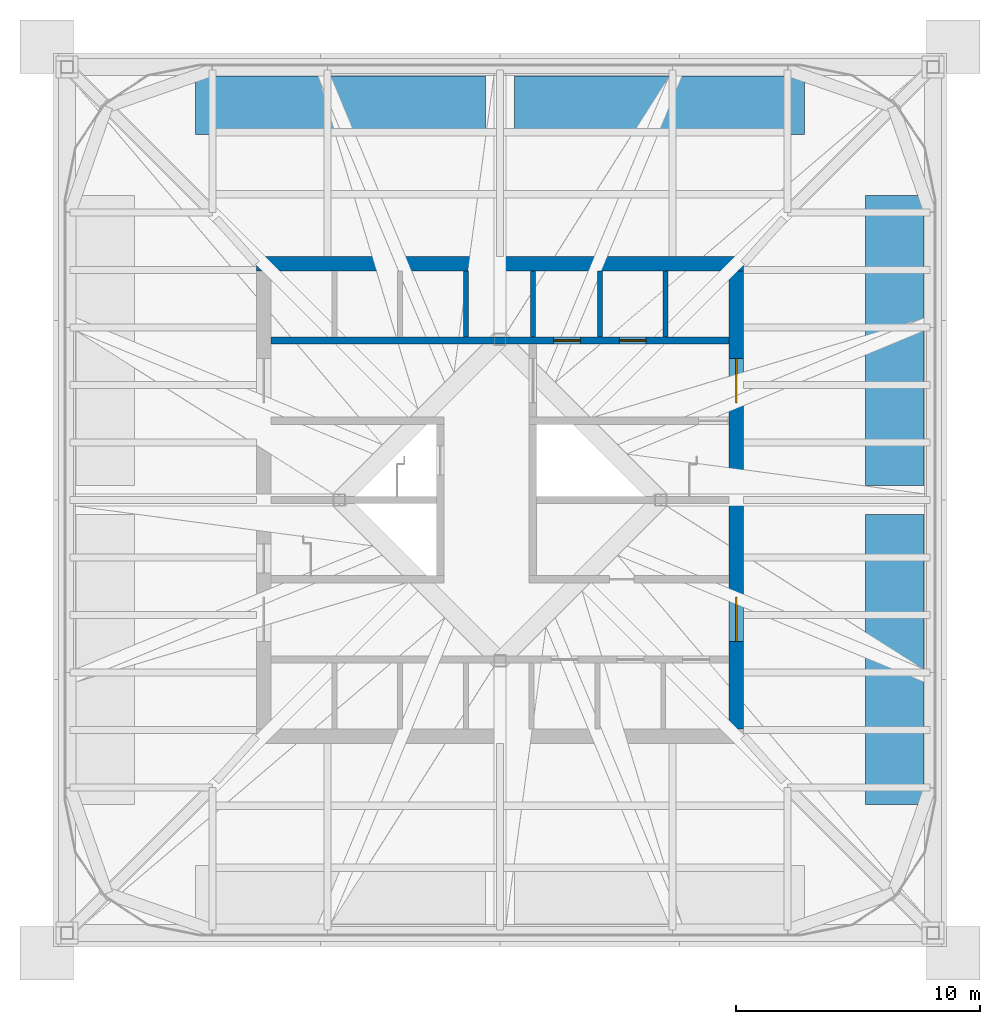
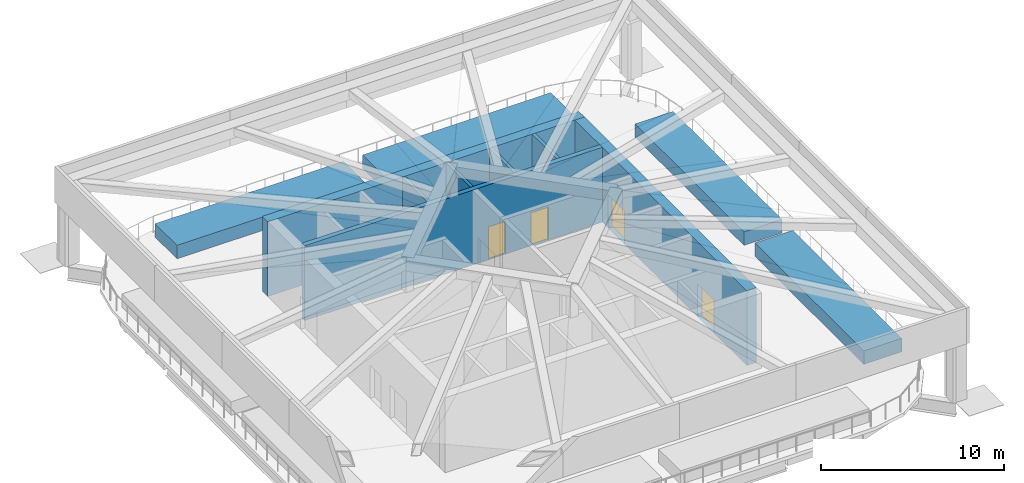
# One storey, part 3 of 7: 11 walls, 4 doors, 4 openings.
"""IFC4 building model written with IfcOpenShell, lengths in metres."""

from ifc_helpers import new_model, si_unit, direction, frame, frame_2d, origin, origin_2d, place, context, subcontext, project, spatial, rectangle, extrude, material, layer, layer_set, type_object, element, fill, save


model = new_model("IFC4")

# Units and contexts
model_context = context("Model", 3, precision=1e-05, world=origin(), true_north=direction((0.0, 1.0)))
body_context = subcontext(model_context, "Body", "Model", "MODEL_VIEW")
ifc_project = project(units=[si_unit("LENGTHUNIT", "METRE"), si_unit("AREAUNIT", "SQUARE_METRE"), si_unit("VOLUMEUNIT", "CUBIC_METRE"), si_unit("PLANEANGLEUNIT", "RADIAN"), si_unit("MASSUNIT", "GRAM", prefix="KILO")], contexts=[model_context])

# Site, building, storey
site_placement = place(None, origin())
site = spatial("IfcSite", under=ifc_project, at=site_placement, CompositionType="ELEMENT")
building_placement = place(site_placement, origin())
building = spatial("IfcBuilding", under=site, at=building_placement, Name="Turquesa Mirador Hotel Tower", CompositionType="ELEMENT")
storey_placement = place(building_placement, frame((0.0, 0.0, 272.199951171875)))
storey = spatial("IfcBuildingStorey", under=building, at=storey_placement, Name="RF", CompositionType="ELEMENT", Elevation=272.199951171875)

# Wall, openings, doors
ifc_material_1 = material(Name="Concrete C50/60", Category="concrete")
ifc_layer_1 = layer(ifc_material_1, 0.300048828125)
ifc_layer_set_1 = layer_set([ifc_layer_1], Name="CORE INNER WALL 300")
wall_type_1 = type_object("IfcWallType", Name="CORE INNER WALL 300", PredefinedType="SHEAR", material=ifc_layer_set_1)
wall_1_placement = place(storey_placement, frame((45.60009765625, 51.550048828125, 0.0), z_axis=(0.0, 0.0, 1.0), x_axis=(1.0, 0.0, 0.0)))
wall_1 = element("IfcWall", 1, at=wall_1_placement, inside=storey, type_object=wall_type_1, Name="Core wall NL", PredefinedType="SHEAR", context=body_context, shape_type="SweptSolid", body=[
    extrude(rectangle(XDim=18.7998046875, YDim=0.300048828125, at=frame_2d((9.39990234375, 0.0))), origin(), (0.0, 0.0, 1.0), 5.0),
])
opening_1_placement = place(wall_1_placement, frame((11.60009765625, 0.0, 0.0)))
opening_1 = element("IfcOpeningElement", 2, at=opening_1_placement, cuts=wall_1, Name="Opening LD", PredefinedType="OPENING", context=body_context, shape_type="SweptSolid", body=[
    extrude(rectangle(XDim=1.10009765625, YDim=2.199951171875, at=frame_2d((0.550048828125, 1.10009765625))), frame((0.0, 0.159912109375, 0.0), z_axis=(0.0, -1.0, 0.0), x_axis=(1.0, 0.0, 0.0)), (0.0, 0.0, 1.0), 0.320068359375),
])
opening_2_placement = place(wall_1_placement, frame((14.300048828125, 0.0, 0.0)))
opening_2 = element("IfcOpeningElement", 3, at=opening_2_placement, cuts=wall_1, Name="Opening LD", PredefinedType="OPENING", context=body_context, shape_type="SweptSolid", body=[
    extrude(rectangle(XDim=1.10009765625, YDim=2.199951171875, at=frame_2d((0.550048828125, 1.10009765625))), frame((0.0, 0.159912109375, 0.0), z_axis=(0.0, -1.0, 0.0), x_axis=(1.0, 0.0, 0.0)), (0.0, 0.0, 1.0), 0.320068359375),
])
ifc_material_2 = material(Name="Stainless steel lift landing door", Category="steel")
door_type_1 = type_object("IfcDoorType", Name="LIFT LANDING DOOR 1100X2200", OperationType="SLIDING_TO_LEFT", PredefinedType="DOOR", material=ifc_material_2)
door_1_placement = place(opening_1_placement, origin())
door_1 = element("IfcDoor", 4, at=door_1_placement, inside=storey, type_object=door_type_1, Name="Lift S1 landing door", OperationType="SLIDING_TO_LEFT", OverallHeight=2.199951171875, OverallWidth=1.10009765625, PredefinedType="DOOR", context=body_context, shape_type="SweptSolid", body=[
    extrude(rectangle(XDim=1.10009765625, YDim=2.199951171875, at=frame_2d((0.550048828125, 1.10009765625))), frame((0.0, 0.02490234375, 0.0), z_axis=(0.0, -1.0, 0.0), x_axis=(1.0, 0.0, 0.0)), (0.0, 0.0, 1.0), 0.050048828125),
])
fill(opening_1, door_1)
door_2_placement = place(opening_2_placement, origin())
door_2 = element("IfcDoor", 5, at=door_2_placement, inside=storey, type_object=door_type_1, Name="Lift S2 landing door", OperationType="SLIDING_TO_LEFT", OverallHeight=2.199951171875, OverallWidth=1.10009765625, PredefinedType="DOOR", context=body_context, shape_type="SweptSolid", body=[
    extrude(rectangle(XDim=1.10009765625, YDim=2.199951171875, at=frame_2d((0.550048828125, 1.10009765625))), frame((0.0, 0.02490234375, 0.0), z_axis=(0.0, -1.0, 0.0), x_axis=(1.0, 0.0, 0.0)), (0.0, 0.0, 1.0), 0.050048828125),
])
fill(opening_2, door_2)

# Wall
ifc_material_3 = material(Name="Concrete C50/60", Category="concrete")
ifc_layer_2 = layer(ifc_material_3, 0.60009765625)
ifc_layer_set_2 = layer_set([ifc_layer_2], Name="CORE WALL 600")
wall_type_2 = type_object("IfcWallType", Name="CORE WALL 600", PredefinedType="SHEAR", material=ifc_layer_set_2)
wall_2_placement = place(storey_placement, frame((45.0, 54.699951171875, 0.0), z_axis=(0.0, 0.0, 1.0), x_axis=(1.0, 0.0, 0.0)))
element("IfcWall", 6, at=wall_2_placement, inside=storey, type_object=wall_type_2, Name="Core wall N", PredefinedType="SHEAR", context=body_context, shape_type="SweptSolid", body=[
    extrude(rectangle(XDim=20.0, YDim=0.60009765625, at=frame_2d((10.0, 0.0))), origin(), (0.0, 0.0, 1.0), 5.0),
])

# Wall, openings, doors
wall_3_placement = place(storey_placement, frame((64.699951171875, 35.60009765625, 0.0), z_axis=(0.0, 0.0, 1.0), x_axis=(0.0, 1.0, 0.0)))
wall_3 = element("IfcWall", 7, at=wall_3_placement, inside=storey, type_object=wall_type_2, Name="Core wall E", PredefinedType="SHEAR", context=body_context, shape_type="SweptSolid", body=[
    extrude(rectangle(XDim=18.7998046875, YDim=0.60009765625, at=frame_2d((9.39990234375, 0.0))), origin(), (0.0, 0.0, 1.0), 5.0),
])
opening_3_placement = place(wall_3_placement, frame((13.39990234375, 0.0, 0.0)))
opening_3 = element("IfcOpeningElement", 8, at=opening_3_placement, cuts=wall_3, Name="Opening D04", PredefinedType="OPENING", context=body_context, shape_type="SweptSolid", body=[
    extrude(rectangle(XDim=1.800048828125, YDim=2.199951171875, at=frame_2d((0.89990234375, 1.10009765625))), frame((0.0, 0.31005859375, 0.0), z_axis=(0.0, -1.0, 0.0), x_axis=(1.0, 0.0, 0.0)), (0.0, 0.0, 1.0), 0.6201171875),
])
opening_4_placement = place(wall_3_placement, frame((3.60009765625, 0.0, 0.0)))
opening_4 = element("IfcOpeningElement", 9, at=opening_4_placement, cuts=wall_3, Name="Opening D04", PredefinedType="OPENING", context=body_context, shape_type="SweptSolid", body=[
    extrude(rectangle(XDim=1.800048828125, YDim=2.199951171875, at=frame_2d((0.89990234375, 1.10009765625))), frame((0.0, 0.31005859375, 0.0), z_axis=(0.0, -1.0, 0.0), x_axis=(1.0, 0.0, 0.0)), (0.0, 0.0, 1.0), 0.6201171875),
])
ifc_material_4 = material(Name="Steel fire door pair", Category="steel")
door_type_2 = type_object("IfcDoorType", Name="DOOR 1800X2200 PAIR", OperationType="DOUBLE_DOOR_SINGLE_SWING", PredefinedType="DOOR", material=ifc_material_4)
door_3_placement = place(opening_3_placement, origin())
door_3 = element("IfcDoor", 10, at=door_3_placement, inside=storey, type_object=door_type_2, Name="Firefighting lobby door", OperationType="DOUBLE_DOOR_SINGLE_SWING", OverallHeight=2.199951171875, OverallWidth=1.800048828125, PredefinedType="DOOR", context=body_context, shape_type="SweptSolid", body=[
    extrude(rectangle(XDim=1.800048828125, YDim=2.199951171875, at=frame_2d((0.89990234375, 1.10009765625))), frame((0.0, 0.02490234375, 0.0), z_axis=(0.0, -1.0, 0.0), x_axis=(1.0, 0.0, 0.0)), (0.0, 0.0, 1.0), 0.050048828125),
])
fill(opening_3, door_3)
door_4_placement = place(opening_4_placement, origin())
door_4 = element("IfcDoor", 11, at=door_4_placement, inside=storey, type_object=door_type_2, Name="South lift lobby door", OperationType="DOUBLE_DOOR_SINGLE_SWING", OverallHeight=2.199951171875, OverallWidth=1.800048828125, PredefinedType="DOOR", context=body_context, shape_type="SweptSolid", body=[
    extrude(rectangle(XDim=1.800048828125, YDim=2.199951171875, at=frame_2d((0.89990234375, 1.10009765625))), frame((0.0, 0.02490234375, 0.0), z_axis=(0.0, -1.0, 0.0), x_axis=(1.0, 0.0, 0.0)), (0.0, 0.0, 1.0), 0.050048828125),
])
fill(opening_4, door_4)

# Walls
ifc_material_5 = material(Name="Fire-rated gypsum shaft wall on steel studs", Category="steel")
ifc_layer_3 = layer(ifc_material_5, 0.199951171875)
ifc_layer_set_3 = layer_set([ifc_layer_3], Name="LIFT SHAFT DIVIDER 200")
wall_type_3 = type_object("IfcWallType", Name="LIFT SHAFT DIVIDER 200", PredefinedType="PARTITIONING", material=ifc_layer_set_3)
for number, where, z_axis, x_axis, name in (
    (12, (53.60009765625, 51.699951171875, 0.0), (0.0, 0.0, 1.0), (0.0, 1.0, 0.0), "Lift shaft divider"),
    (13, (59.10009765625, 51.699951171875, 0.0), (0.0, 0.0, 1.0), (0.0, 1.0, 0.0), "Lift shaft divider"),
    (14, (61.800048828125, 51.699951171875, 0.0), (0.0, 0.0, 1.0), (0.0, 1.0, 0.0), "Lift shaft divider"),
    (15, (56.35009765625, 51.699951171875, 0.0), (0.0, 0.0, 1.0), (0.0, 1.0, 0.0), "Lift shaft divider"),
):
    element("IfcWall", number, at=place(storey_placement, frame(where, z_axis=z_axis, x_axis=x_axis)), inside=storey, type_object=wall_type_3, Name=name, PredefinedType="PARTITIONING", context=body_context, shape_type="SweptSolid", body=[
        extrude(rectangle(XDim=2.699951171875, YDim=0.199951171875, at=frame_2d((1.35009765625, 0.0))), origin(), (0.0, 0.0, 1.0), 5.0),
    ])
ifc_material_6 = material(Name="Concrete C35/45", Category="concrete")
wall_type_4 = type_object("IfcWallType", Name="PLANTER BED 900", PredefinedType="USERDEFINED", material=ifc_material_6)
for number, where, z_axis, x_axis, name in (
    (16, (48.449951171875, 61.199951171875, 0.0), (0.0, 0.0, 1.0), (1.0, 0.0, 0.0), "Sky garden planter"),
    (17, (61.550048828125, 61.199951171875, 0.0), (0.0, 0.0, 1.0), (1.0, 0.0, 0.0), "Sky garden planter"),
):
    element("IfcWall", number, at=place(storey_placement, frame(where, z_axis=z_axis, x_axis=x_axis)), inside=storey, type_object=wall_type_4, Name=name, ObjectType="PLANTER", PredefinedType="USERDEFINED", context=body_context, shape_type="SweptSolid", body=[
        extrude(rectangle(XDim=11.89990234375, YDim=2.39990234375, at=origin_2d()), origin(), (0.0, 0.0, 1.0), 0.89990234375),
    ])
for number, where, z_axis, x_axis, name in (
    (18, (71.199951171875, 38.449951171875, 0.0), (0.0, 0.0, 1.0), (1.0, 0.0, 0.0), "Sky garden planter"),
    (19, (71.199951171875, 51.550048828125, 0.0), (0.0, 0.0, 1.0), (1.0, 0.0, 0.0), "Sky garden planter"),
):
    element("IfcWall", number, at=place(storey_placement, frame(where, z_axis=z_axis, x_axis=x_axis)), inside=storey, type_object=wall_type_4, Name=name, ObjectType="PLANTER", PredefinedType="USERDEFINED", context=body_context, shape_type="SweptSolid", body=[
        extrude(rectangle(XDim=2.39990234375, YDim=11.89990234375, at=origin_2d()), origin(), (0.0, 0.0, 1.0), 0.89990234375),
    ])

save(model, "model.ifc")
